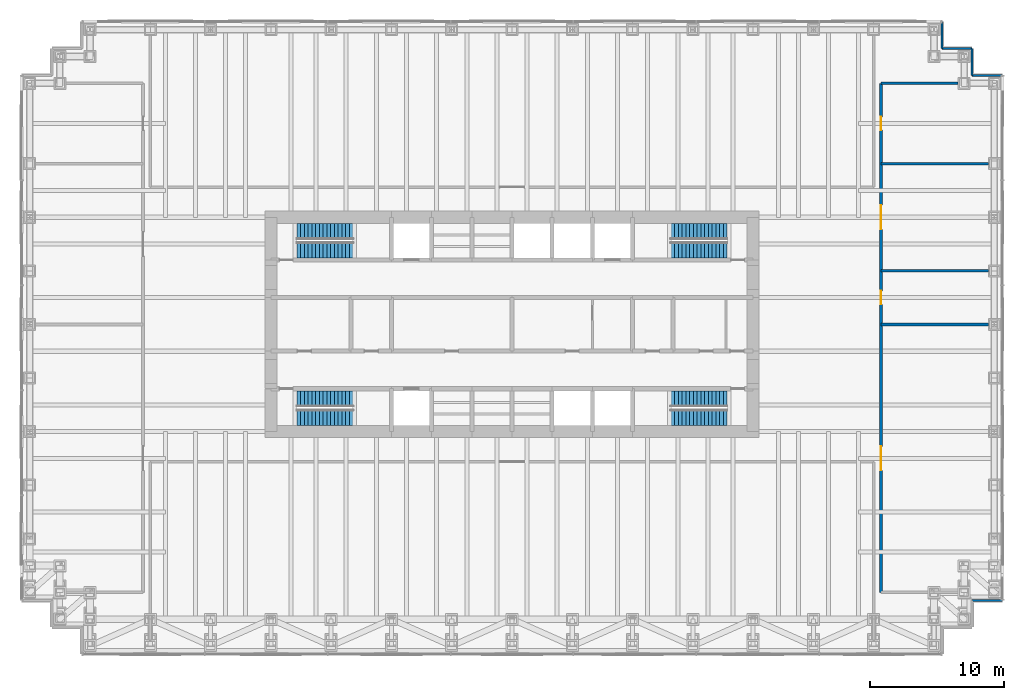
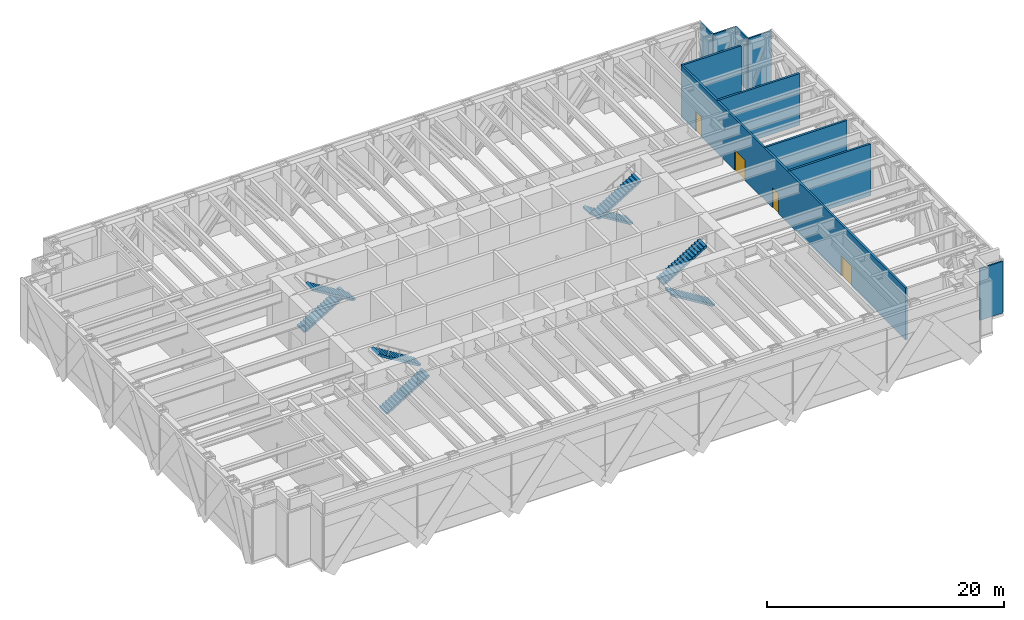
# One storey, part 15 of 16: 10 walls, 8 stair flights, 4 doors, 4 openings, 4 elements without a shape of their own.
"""IFC4 building model written with IfcOpenShell, lengths in metres."""

from ifc_helpers import new_model, si_unit, direction, frame, frame_2d, origin, place, context, subcontext, project, spatial, polyline, rectangle, outline, extrude, material, layer, layer_set, type_object, element, fill, aggregate, save


model = new_model("IFC4")

# Units and contexts
model_context = context("Model", 3, precision=1e-05, world=origin(), true_north=direction((0.0, 1.0)))
body_context = subcontext(model_context, "Body", "Model", "MODEL_VIEW")
ifc_project = project(units=[si_unit("LENGTHUNIT", "METRE"), si_unit("AREAUNIT", "SQUARE_METRE"), si_unit("VOLUMEUNIT", "CUBIC_METRE"), si_unit("PLANEANGLEUNIT", "RADIAN"), si_unit("MASSUNIT", "GRAM", prefix="KILO")], contexts=[model_context])

# Site, building, storey
site_placement = place(None, origin())
site = spatial("IfcSite", under=ifc_project, at=site_placement, CompositionType="ELEMENT")
building_placement = place(site_placement, origin())
building = spatial("IfcBuilding", under=site, at=building_placement, Name="Rheinbord Bourse Tower", CompositionType="ELEMENT")
storey_placement = place(building_placement, frame((0.0, 0.0, 95.0)))
storey = spatial("IfcBuildingStorey", under=building, at=storey_placement, Name="L20", CompositionType="ELEMENT", Elevation=95.0)

# Walls
ifc_material_1 = material(Name="Black metal rainscreen panel", Category="aluminium")
ifc_layer_1 = layer(ifc_material_1, 0.14990234375)
ifc_layer_set_1 = layer_set([ifc_layer_1], Name="CORNER PIER CLADDING 150")
wall_type_1 = type_object("IfcWallType", Name="CORNER PIER CLADDING 150", PredefinedType="ELEMENTEDWALL", material=ifc_layer_set_1)
for number, where, z_axis, x_axis, name in (
    (1, (70.35009765625, 3.39990234375, 0.0), (0.0, 0.0, 1.0), (1.0, 0.0, 0.0), "Corner pier cladding L20 5"),
    (2, (72.60009765625, 42.60009765625, 0.0), (0.0, 0.0, 1.0), (-1.0, 0.0, 0.0), "Corner pier cladding L20 7"),
):
    element("IfcWall", number, at=place(storey_placement, frame(where, z_axis=z_axis, x_axis=x_axis)), inside=storey, type_object=wall_type_1, Name=name, PredefinedType="ELEMENTEDWALL", context=body_context, shape_type="SweptSolid", body=[
        extrude(rectangle(XDim=2.25, YDim=0.14990234375, at=frame_2d((1.125, 0.0))), origin(), (0.0, 0.0, 1.0), 5.340087890625),
    ])
wall_1_placement = place(storey_placement, frame((70.35009765625, 42.60009765625, 0.0), z_axis=(0.0, 0.0, 1.0), x_axis=(0.0, 1.0, 0.0)))
element("IfcWall", 3, at=wall_1_placement, inside=storey, type_object=wall_type_1, Name="Corner pier cladding L20 8", PredefinedType="ELEMENTEDWALL", context=body_context, shape_type="SweptSolid", body=[
    extrude(rectangle(XDim=2.0, YDim=0.14990234375, at=frame_2d((1.0, 0.0))), origin(), (0.0, 0.0, 1.0), 5.340087890625),
])
wall_2_placement = place(storey_placement, frame((70.35009765625, 44.60009765625, 0.0), z_axis=(0.0, 0.0, 1.0), x_axis=(-1.0, 0.0, 0.0)))
element("IfcWall", 4, at=wall_2_placement, inside=storey, type_object=wall_type_1, Name="Corner pier cladding L20 9", PredefinedType="ELEMENTEDWALL", context=body_context, shape_type="SweptSolid", body=[
    extrude(rectangle(XDim=2.25, YDim=0.14990234375, at=frame_2d((1.125, 0.0))), origin(), (0.0, 0.0, 1.0), 5.340087890625),
])
wall_3_placement = place(storey_placement, frame((68.10009765625, 44.60009765625, 0.0), z_axis=(0.0, 0.0, 1.0), x_axis=(0.0, 1.0, 0.0)))
element("IfcWall", 5, at=wall_3_placement, inside=storey, type_object=wall_type_1, Name="Corner pier cladding L20 10", PredefinedType="ELEMENTEDWALL", context=body_context, shape_type="SweptSolid", body=[
    extrude(rectangle(XDim=2.0, YDim=0.14990234375, at=frame_2d((1.0, 0.0))), origin(), (0.0, 0.0, 1.0), 5.340087890625),
])
ifc_material_2 = material(Name="Concrete block plant room wall", Category="concrete")
ifc_layer_2 = layer(ifc_material_2, 0.199951171875)
ifc_layer_set_2 = layer_set([ifc_layer_2], Name="PLANT ROOM PARTITION 200 EI90")
wall_type_2 = type_object("IfcWallType", Name="PLANT ROOM PARTITION 200 EI90", PredefinedType="PARTITIONING", material=ifc_layer_set_2)
for number, where, z_axis, x_axis, name in (
    (6, (63.550048828125, 24.0, 0.0), (0.0, 0.0, 1.0), (1.0, 0.0, 0.0), "Partition L20-05"),
    (7, (63.550048828125, 28.0, 0.0), (0.0, 0.0, 1.0), (1.0, 0.0, 0.0), "Partition L20-06"),
    (8, (63.550048828125, 36.0, 0.0), (0.0, 0.0, 1.0), (1.0, 0.0, 0.0), "Partition L20-09"),
):
    element("IfcWall", number, at=place(storey_placement, frame(where, z_axis=z_axis, x_axis=x_axis)), inside=storey, type_object=wall_type_2, Name=name, PredefinedType="PARTITIONING", context=body_context, shape_type="SweptSolid", body=[
        extrude(rectangle(XDim=8.0, YDim=0.199951171875, at=frame_2d((4.0, 0.0))), origin(), (0.0, 0.0, 1.0), 5.340087890625),
    ])
wall_4_placement = place(storey_placement, frame((63.550048828125, 42.0, 0.0), z_axis=(0.0, 0.0, 1.0), x_axis=(1.0, 0.0, 0.0)))
element("IfcWall", 9, at=wall_4_placement, inside=storey, type_object=wall_type_2, Name="Partition L20-11", PredefinedType="PARTITIONING", context=body_context, shape_type="SweptSolid", body=[
    extrude(rectangle(XDim=5.75, YDim=0.199951171875, at=frame_2d((2.875, 0.0))), origin(), (0.0, 0.0, 1.0), 5.340087890625),
])

# Wall, openings, doors
wall_5_placement = place(storey_placement, frame((63.550048828125, 4.0, 0.0), z_axis=(0.0, 0.0, 1.0), x_axis=(0.0, 1.0, 0.0)))
wall_5 = element("IfcWall", 10, at=wall_5_placement, inside=storey, type_object=wall_type_2, Name="Partition L20-17", PredefinedType="PARTITIONING", context=body_context, shape_type="SweptSolid", body=[
    extrude(rectangle(XDim=38.0, YDim=0.199951171875, at=frame_2d((19.0, 0.0))), origin(), (0.0, 0.0, 1.0), 5.340087890625),
])
opening_1_placement = place(wall_5_placement, frame((9.10009765625, 0.0, 0.0)))
opening_1 = element("IfcOpeningElement", 11, at=opening_1_placement, cuts=wall_5, Name="Opening 20P02", PredefinedType="OPENING", context=body_context, shape_type="SweptSolid", body=[
    extrude(rectangle(XDim=1.800048828125, YDim=2.10009765625, at=frame_2d((0.89990234375, 1.050048828125))), frame((0.0, 0.10986328125, 0.0), z_axis=(0.0, -1.0, 0.0), x_axis=(1.0, 0.0, 0.0)), (0.0, 0.0, 1.0), 0.219970703125),
])
opening_2_placement = place(wall_5_placement, frame((21.5, 0.0, 0.0)))
opening_2 = element("IfcOpeningElement", 12, at=opening_2_placement, cuts=wall_5, Name="Opening 20P04", PredefinedType="OPENING", context=body_context, shape_type="SweptSolid", body=[
    extrude(rectangle(XDim=1.0, YDim=2.10009765625, at=frame_2d((0.5, 1.050048828125))), frame((0.0, 0.10986328125, 0.0), z_axis=(0.0, -1.0, 0.0), x_axis=(1.0, 0.0, 0.0)), (0.0, 0.0, 1.0), 0.219970703125),
])
opening_3_placement = place(wall_5_placement, frame((27.10009765625, 0.0, 0.0)))
opening_3 = element("IfcOpeningElement", 13, at=opening_3_placement, cuts=wall_5, Name="Opening 20P06", PredefinedType="OPENING", context=body_context, shape_type="SweptSolid", body=[
    extrude(rectangle(XDim=1.800048828125, YDim=2.10009765625, at=frame_2d((0.89990234375, 1.050048828125))), frame((0.0, 0.10986328125, 0.0), z_axis=(0.0, -1.0, 0.0), x_axis=(1.0, 0.0, 0.0)), (0.0, 0.0, 1.0), 0.219970703125),
])
opening_4_placement = place(wall_5_placement, frame((34.5, 0.0, 0.0)))
opening_4 = element("IfcOpeningElement", 14, at=opening_4_placement, cuts=wall_5, Name="Opening 20P08", PredefinedType="OPENING", context=body_context, shape_type="SweptSolid", body=[
    extrude(rectangle(XDim=1.0, YDim=2.10009765625, at=frame_2d((0.5, 1.050048828125))), frame((0.0, 0.10986328125, 0.0), z_axis=(0.0, -1.0, 0.0), x_axis=(1.0, 0.0, 0.0)), (0.0, 0.0, 1.0), 0.219970703125),
])
ifc_material_3 = material(Name="Steel fire door", Category="steel")
door_type_1 = type_object("IfcDoorType", Name="PLANT ROOM DOOR 1000 EI60", OperationType="SINGLE_SWING_LEFT", PredefinedType="DOOR", material=ifc_material_3)
door_1_placement = place(opening_2_placement, origin())
door_1 = element("IfcDoor", 15, at=door_1_placement, inside=storey, type_object=door_type_1, Name="LV switch room door L20", OperationType="SINGLE_SWING_RIGHT", OverallHeight=2.10009765625, OverallWidth=1.0, PredefinedType="DOOR", context=body_context, shape_type="SweptSolid", body=[
    extrude(rectangle(XDim=1.0, YDim=2.10009765625, at=frame_2d((0.5, 1.050048828125))), frame((0.0, 0.02490234375, 0.0), z_axis=(0.0, -1.0, 0.0), x_axis=(1.0, 0.0, 0.0)), (0.0, 0.0, 1.0), 0.050048828125),
])
fill(opening_2, door_1)
door_2_placement = place(opening_4_placement, origin())
door_2 = element("IfcDoor", 16, at=door_2_placement, inside=storey, type_object=door_type_1, Name="Heat exchanger room door L20", OperationType="SINGLE_SWING_RIGHT", OverallHeight=2.10009765625, OverallWidth=1.0, PredefinedType="DOOR", context=body_context, shape_type="SweptSolid", body=[
    extrude(rectangle(XDim=1.0, YDim=2.10009765625, at=frame_2d((0.5, 1.050048828125))), frame((0.0, 0.02490234375, 0.0), z_axis=(0.0, -1.0, 0.0), x_axis=(1.0, 0.0, 0.0)), (0.0, 0.0, 1.0), 0.050048828125),
])
fill(opening_4, door_2)
ifc_material_4 = material(Name="Steel fire door", Category="steel")
door_type_2 = type_object("IfcDoorType", Name="PLANT ROOM DOUBLE DOOR 1800 EI60", OperationType="DOUBLE_DOOR_DOUBLE_SWING", PredefinedType="DOOR", material=ifc_material_4)
door_3_placement = place(opening_1_placement, origin())
door_3 = element("IfcDoor", 17, at=door_3_placement, inside=storey, type_object=door_type_2, Name="Air handling plant room door L20", OperationType="SINGLE_SWING_LEFT", OverallHeight=2.10009765625, OverallWidth=1.800048828125, PredefinedType="DOOR", context=body_context, shape_type="SweptSolid", body=[
    extrude(rectangle(XDim=1.800048828125, YDim=2.10009765625, at=frame_2d((0.89990234375, 1.050048828125))), frame((0.0, 0.02490234375, 0.0), z_axis=(0.0, -1.0, 0.0), x_axis=(1.0, 0.0, 0.0)), (0.0, 0.0, 1.0), 0.050048828125),
])
fill(opening_1, door_3)
door_4_placement = place(opening_3_placement, origin())
door_4 = element("IfcDoor", 18, at=door_4_placement, inside=storey, type_object=door_type_2, Name="Transformer room door L20", OperationType="SINGLE_SWING_LEFT", OverallHeight=2.10009765625, OverallWidth=1.800048828125, PredefinedType="DOOR", context=body_context, shape_type="SweptSolid", body=[
    extrude(rectangle(XDim=1.800048828125, YDim=2.10009765625, at=frame_2d((0.89990234375, 1.050048828125))), frame((0.0, 0.02490234375, 0.0), z_axis=(0.0, -1.0, 0.0), x_axis=(1.0, 0.0, 0.0)), (0.0, 0.0, 1.0), 0.050048828125),
])
fill(opening_3, door_4)

# Stair, stair flights
ifc_material_5 = material(Name="Concrete C30/37", Category="concrete")
stair_type = type_object("IfcStairType", Name="CORE STAIR HALF TURN 5500", PredefinedType="HALF_TURN_STAIR", material=ifc_material_5)
stair_1_placement = place(storey_placement, origin())
stair_1 = element("IfcStair", 19, at=stair_1_placement, inside=storey, type_object=stair_type, Name="Stair ST1 L20, type CS5", PredefinedType="HALF_TURN_STAIR")
ifc_material_6 = material(Name="Concrete C30/37", Category="concrete")
stair_flight_type = type_object("IfcStairFlightType", Name="CORE STAIR FLIGHT 1200, 16 RISERS", PredefinedType="STRAIGHT", material=ifc_material_6)
stair_flight_1_placement = place(storey_placement, frame((19.949951171875, 17.050048828125, 0.0), z_axis=(0.0, 0.0, 1.0), x_axis=(1.0, 0.0, 0.0)))
stair_flight_1 = element("IfcStairFlight", 20, at=stair_flight_1_placement, type_object=stair_flight_type, Name="STAIR L20 ST1 F1", NumberOfRisers=16, NumberOfTreads=15, PredefinedType="STRAIGHT", RiserHeight=0.171875, TreadLength=0.28, context=body_context, shape_type="SweptSolid", body=[
    extrude(outline(polyline([(0.0, 0.0), (0.0, 0.171875), (0.280029296875, 0.171875), (0.280029296875, 0.34375), (0.56005859375, 0.34375), (0.56005859375, 0.515625), (0.840087890625, 0.515625), (0.840087890625, 0.6875), (1.1201171875, 0.6875), (1.1201171875, 0.859375), (1.39990234375, 0.859375), (1.39990234375, 1.03125), (1.679931640625, 1.03125), (1.679931640625, 1.203125), (1.9599609375, 1.203125), (1.9599609375, 1.375), (2.239990234375, 1.375), (2.239990234375, 1.546875), (2.52001953125, 1.546875), (2.52001953125, 1.71875), (2.800048828125, 1.71875), (2.800048828125, 1.890625), (3.080078125, 1.890625), (3.080078125, 2.0625), (3.360107421875, 2.0625), (3.360107421875, 2.234375), (3.639892578125, 2.234375), (3.639892578125, 2.40625), (3.919921875, 2.40625), (3.919921875, 2.578125), (4.199951171875, 2.578125), (4.199951171875, 2.75), (4.199951171875, 2.40234375), (0.28662109375, 0.0), (0.0, 0.0)])), frame((0.0, 0.60009765625, 0.0), z_axis=(0.0, -1.0, 0.0), x_axis=(1.0, 0.0, 0.0)), (0.0, 0.0, 1.0), 1.199951171875),
])
stair_flight_2_placement = place(storey_placement, frame((24.14990234375, 18.449951171875, 2.75), z_axis=(0.0, 0.0, 1.0), x_axis=(-1.0, 0.0, 0.0)))
stair_flight_2 = element("IfcStairFlight", 21, at=stair_flight_2_placement, type_object=stair_flight_type, Name="STAIR L20 ST1 F2", NumberOfRisers=16, NumberOfTreads=15, PredefinedType="STRAIGHT", RiserHeight=0.171875, TreadLength=0.28, context=body_context, shape_type="SweptSolid", body=[
    extrude(outline(polyline([(0.0, 0.0), (0.0, 0.171875), (0.280029296875, 0.171875), (0.280029296875, 0.34375), (0.56005859375, 0.34375), (0.56005859375, 0.515625), (0.840087890625, 0.515625), (0.840087890625, 0.6875), (1.1201171875, 0.6875), (1.1201171875, 0.859375), (1.39990234375, 0.859375), (1.39990234375, 1.03125), (1.679931640625, 1.03125), (1.679931640625, 1.203125), (1.9599609375, 1.203125), (1.9599609375, 1.375), (2.239990234375, 1.375), (2.239990234375, 1.546875), (2.52001953125, 1.546875), (2.52001953125, 1.71875), (2.800048828125, 1.71875), (2.800048828125, 1.890625), (3.080078125, 1.890625), (3.080078125, 2.0625), (3.360107421875, 2.0625), (3.360107421875, 2.234375), (3.639892578125, 2.234375), (3.639892578125, 2.40625), (3.919921875, 2.40625), (3.919921875, 2.578125), (4.199951171875, 2.578125), (4.199951171875, 2.75), (4.199951171875, 2.40234375), (0.28662109375, 0.0), (0.0, 0.0)])), frame((0.0, 0.60009765625, 0.0), z_axis=(0.0, -1.0, 0.0), x_axis=(1.0, 0.0, 0.0)), (0.0, 0.0, 1.0), 1.199951171875),
])
aggregate(stair_1, [stair_flight_1, stair_flight_2])

stair_2_placement = place(storey_placement, origin())
stair_2 = element("IfcStair", 22, at=stair_2_placement, inside=storey, type_object=stair_type, Name="Stair ST2 L20, type CS5", PredefinedType="HALF_TURN_STAIR")
stair_flight_3_placement = place(storey_placement, frame((19.949951171875, 30.949951171875, 0.0), z_axis=(0.0, 0.0, 1.0), x_axis=(1.0, 0.0, 0.0)))
stair_flight_3 = element("IfcStairFlight", 23, at=stair_flight_3_placement, type_object=stair_flight_type, Name="STAIR L20 ST2 F1", NumberOfRisers=16, NumberOfTreads=15, PredefinedType="STRAIGHT", RiserHeight=0.171875, TreadLength=0.28, context=body_context, shape_type="SweptSolid", body=[
    extrude(outline(polyline([(0.0, 0.0), (0.0, 0.171875), (0.280029296875, 0.171875), (0.280029296875, 0.34375), (0.56005859375, 0.34375), (0.56005859375, 0.515625), (0.840087890625, 0.515625), (0.840087890625, 0.6875), (1.1201171875, 0.6875), (1.1201171875, 0.859375), (1.39990234375, 0.859375), (1.39990234375, 1.03125), (1.679931640625, 1.03125), (1.679931640625, 1.203125), (1.9599609375, 1.203125), (1.9599609375, 1.375), (2.239990234375, 1.375), (2.239990234375, 1.546875), (2.52001953125, 1.546875), (2.52001953125, 1.71875), (2.800048828125, 1.71875), (2.800048828125, 1.890625), (3.080078125, 1.890625), (3.080078125, 2.0625), (3.360107421875, 2.0625), (3.360107421875, 2.234375), (3.639892578125, 2.234375), (3.639892578125, 2.40625), (3.919921875, 2.40625), (3.919921875, 2.578125), (4.199951171875, 2.578125), (4.199951171875, 2.75), (4.199951171875, 2.40234375), (0.28662109375, 0.0), (0.0, 0.0)])), frame((0.0, 0.60009765625, 0.0), z_axis=(0.0, -1.0, 0.0), x_axis=(1.0, 0.0, 0.0)), (0.0, 0.0, 1.0), 1.199951171875),
])
stair_flight_4_placement = place(storey_placement, frame((24.14990234375, 29.550048828125, 2.75), z_axis=(0.0, 0.0, 1.0), x_axis=(-1.0, 0.0, 0.0)))
stair_flight_4 = element("IfcStairFlight", 24, at=stair_flight_4_placement, type_object=stair_flight_type, Name="STAIR L20 ST2 F2", NumberOfRisers=16, NumberOfTreads=15, PredefinedType="STRAIGHT", RiserHeight=0.171875, TreadLength=0.28, context=body_context, shape_type="SweptSolid", body=[
    extrude(outline(polyline([(0.0, 0.0), (0.0, 0.171875), (0.280029296875, 0.171875), (0.280029296875, 0.34375), (0.56005859375, 0.34375), (0.56005859375, 0.515625), (0.840087890625, 0.515625), (0.840087890625, 0.6875), (1.1201171875, 0.6875), (1.1201171875, 0.859375), (1.39990234375, 0.859375), (1.39990234375, 1.03125), (1.679931640625, 1.03125), (1.679931640625, 1.203125), (1.9599609375, 1.203125), (1.9599609375, 1.375), (2.239990234375, 1.375), (2.239990234375, 1.546875), (2.52001953125, 1.546875), (2.52001953125, 1.71875), (2.800048828125, 1.71875), (2.800048828125, 1.890625), (3.080078125, 1.890625), (3.080078125, 2.0625), (3.360107421875, 2.0625), (3.360107421875, 2.234375), (3.639892578125, 2.234375), (3.639892578125, 2.40625), (3.919921875, 2.40625), (3.919921875, 2.578125), (4.199951171875, 2.578125), (4.199951171875, 2.75), (4.199951171875, 2.40234375), (0.28662109375, 0.0), (0.0, 0.0)])), frame((0.0, 0.60009765625, 0.0), z_axis=(0.0, -1.0, 0.0), x_axis=(1.0, 0.0, 0.0)), (0.0, 0.0, 1.0), 1.199951171875),
])
aggregate(stair_2, [stair_flight_3, stair_flight_4])

stair_3_placement = place(storey_placement, origin())
stair_3 = element("IfcStair", 25, at=stair_3_placement, inside=storey, type_object=stair_type, Name="Stair ST3 L20, type CS5", PredefinedType="HALF_TURN_STAIR")
stair_flight_5_placement = place(storey_placement, frame((52.050048828125, 17.050048828125, 0.0), z_axis=(0.0, 0.0, 1.0), x_axis=(-1.0, 0.0, 0.0)))
stair_flight_5 = element("IfcStairFlight", 26, at=stair_flight_5_placement, type_object=stair_flight_type, Name="STAIR L20 ST3 F1", NumberOfRisers=16, NumberOfTreads=15, PredefinedType="STRAIGHT", RiserHeight=0.171875, TreadLength=0.28, context=body_context, shape_type="SweptSolid", body=[
    extrude(outline(polyline([(0.0, 0.0), (0.0, 0.171875), (0.280029296875, 0.171875), (0.280029296875, 0.34375), (0.56005859375, 0.34375), (0.56005859375, 0.515625), (0.840087890625, 0.515625), (0.840087890625, 0.6875), (1.1201171875, 0.6875), (1.1201171875, 0.859375), (1.39990234375, 0.859375), (1.39990234375, 1.03125), (1.679931640625, 1.03125), (1.679931640625, 1.203125), (1.9599609375, 1.203125), (1.9599609375, 1.375), (2.239990234375, 1.375), (2.239990234375, 1.546875), (2.52001953125, 1.546875), (2.52001953125, 1.71875), (2.800048828125, 1.71875), (2.800048828125, 1.890625), (3.080078125, 1.890625), (3.080078125, 2.0625), (3.360107421875, 2.0625), (3.360107421875, 2.234375), (3.639892578125, 2.234375), (3.639892578125, 2.40625), (3.919921875, 2.40625), (3.919921875, 2.578125), (4.199951171875, 2.578125), (4.199951171875, 2.75), (4.199951171875, 2.40234375), (0.28662109375, 0.0), (0.0, 0.0)])), frame((0.0, 0.60009765625, 0.0), z_axis=(0.0, -1.0, 0.0), x_axis=(1.0, 0.0, 0.0)), (0.0, 0.0, 1.0), 1.199951171875),
])
stair_flight_6_placement = place(storey_placement, frame((47.85009765625, 18.449951171875, 2.75), z_axis=(0.0, 0.0, 1.0), x_axis=(1.0, 0.0, 0.0)))
stair_flight_6 = element("IfcStairFlight", 27, at=stair_flight_6_placement, type_object=stair_flight_type, Name="STAIR L20 ST3 F2", NumberOfRisers=16, NumberOfTreads=15, PredefinedType="STRAIGHT", RiserHeight=0.171875, TreadLength=0.28, context=body_context, shape_type="SweptSolid", body=[
    extrude(outline(polyline([(0.0, 0.0), (0.0, 0.171875), (0.280029296875, 0.171875), (0.280029296875, 0.34375), (0.56005859375, 0.34375), (0.56005859375, 0.515625), (0.840087890625, 0.515625), (0.840087890625, 0.6875), (1.1201171875, 0.6875), (1.1201171875, 0.859375), (1.39990234375, 0.859375), (1.39990234375, 1.03125), (1.679931640625, 1.03125), (1.679931640625, 1.203125), (1.9599609375, 1.203125), (1.9599609375, 1.375), (2.239990234375, 1.375), (2.239990234375, 1.546875), (2.52001953125, 1.546875), (2.52001953125, 1.71875), (2.800048828125, 1.71875), (2.800048828125, 1.890625), (3.080078125, 1.890625), (3.080078125, 2.0625), (3.360107421875, 2.0625), (3.360107421875, 2.234375), (3.639892578125, 2.234375), (3.639892578125, 2.40625), (3.919921875, 2.40625), (3.919921875, 2.578125), (4.199951171875, 2.578125), (4.199951171875, 2.75), (4.199951171875, 2.40234375), (0.28662109375, 0.0), (0.0, 0.0)])), frame((0.0, 0.60009765625, 0.0), z_axis=(0.0, -1.0, 0.0), x_axis=(1.0, 0.0, 0.0)), (0.0, 0.0, 1.0), 1.199951171875),
])
aggregate(stair_3, [stair_flight_5, stair_flight_6])

stair_4_placement = place(storey_placement, origin())
stair_4 = element("IfcStair", 28, at=stair_4_placement, inside=storey, type_object=stair_type, Name="Stair ST4 L20, type CS5", PredefinedType="HALF_TURN_STAIR")
stair_flight_7_placement = place(storey_placement, frame((52.050048828125, 30.949951171875, 0.0), z_axis=(0.0, 0.0, 1.0), x_axis=(-1.0, 0.0, 0.0)))
stair_flight_7 = element("IfcStairFlight", 29, at=stair_flight_7_placement, type_object=stair_flight_type, Name="STAIR L20 ST4 F1", NumberOfRisers=16, NumberOfTreads=15, PredefinedType="STRAIGHT", RiserHeight=0.171875, TreadLength=0.28, context=body_context, shape_type="SweptSolid", body=[
    extrude(outline(polyline([(0.0, 0.0), (0.0, 0.171875), (0.280029296875, 0.171875), (0.280029296875, 0.34375), (0.56005859375, 0.34375), (0.56005859375, 0.515625), (0.840087890625, 0.515625), (0.840087890625, 0.6875), (1.1201171875, 0.6875), (1.1201171875, 0.859375), (1.39990234375, 0.859375), (1.39990234375, 1.03125), (1.679931640625, 1.03125), (1.679931640625, 1.203125), (1.9599609375, 1.203125), (1.9599609375, 1.375), (2.239990234375, 1.375), (2.239990234375, 1.546875), (2.52001953125, 1.546875), (2.52001953125, 1.71875), (2.800048828125, 1.71875), (2.800048828125, 1.890625), (3.080078125, 1.890625), (3.080078125, 2.0625), (3.360107421875, 2.0625), (3.360107421875, 2.234375), (3.639892578125, 2.234375), (3.639892578125, 2.40625), (3.919921875, 2.40625), (3.919921875, 2.578125), (4.199951171875, 2.578125), (4.199951171875, 2.75), (4.199951171875, 2.40234375), (0.28662109375, 0.0), (0.0, 0.0)])), frame((0.0, 0.60009765625, 0.0), z_axis=(0.0, -1.0, 0.0), x_axis=(1.0, 0.0, 0.0)), (0.0, 0.0, 1.0), 1.199951171875),
])
stair_flight_8_placement = place(storey_placement, frame((47.85009765625, 29.550048828125, 2.75), z_axis=(0.0, 0.0, 1.0), x_axis=(1.0, 0.0, 0.0)))
stair_flight_8 = element("IfcStairFlight", 30, at=stair_flight_8_placement, type_object=stair_flight_type, Name="STAIR L20 ST4 F2", NumberOfRisers=16, NumberOfTreads=15, PredefinedType="STRAIGHT", RiserHeight=0.171875, TreadLength=0.28, context=body_context, shape_type="SweptSolid", body=[
    extrude(outline(polyline([(0.0, 0.0), (0.0, 0.171875), (0.280029296875, 0.171875), (0.280029296875, 0.34375), (0.56005859375, 0.34375), (0.56005859375, 0.515625), (0.840087890625, 0.515625), (0.840087890625, 0.6875), (1.1201171875, 0.6875), (1.1201171875, 0.859375), (1.39990234375, 0.859375), (1.39990234375, 1.03125), (1.679931640625, 1.03125), (1.679931640625, 1.203125), (1.9599609375, 1.203125), (1.9599609375, 1.375), (2.239990234375, 1.375), (2.239990234375, 1.546875), (2.52001953125, 1.546875), (2.52001953125, 1.71875), (2.800048828125, 1.71875), (2.800048828125, 1.890625), (3.080078125, 1.890625), (3.080078125, 2.0625), (3.360107421875, 2.0625), (3.360107421875, 2.234375), (3.639892578125, 2.234375), (3.639892578125, 2.40625), (3.919921875, 2.40625), (3.919921875, 2.578125), (4.199951171875, 2.578125), (4.199951171875, 2.75), (4.199951171875, 2.40234375), (0.28662109375, 0.0), (0.0, 0.0)])), frame((0.0, 0.60009765625, 0.0), z_axis=(0.0, -1.0, 0.0), x_axis=(1.0, 0.0, 0.0)), (0.0, 0.0, 1.0), 1.199951171875),
])
aggregate(stair_4, [stair_flight_7, stair_flight_8])

save(model, "model.ifc")
